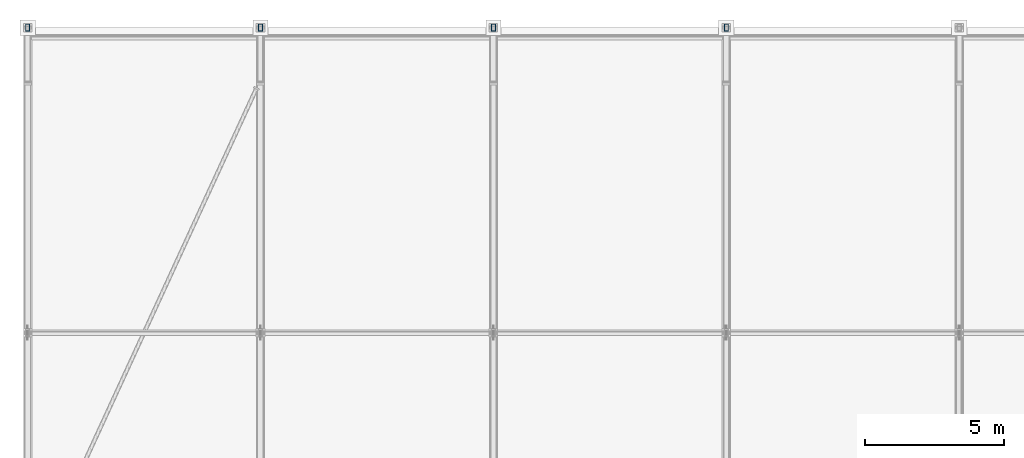
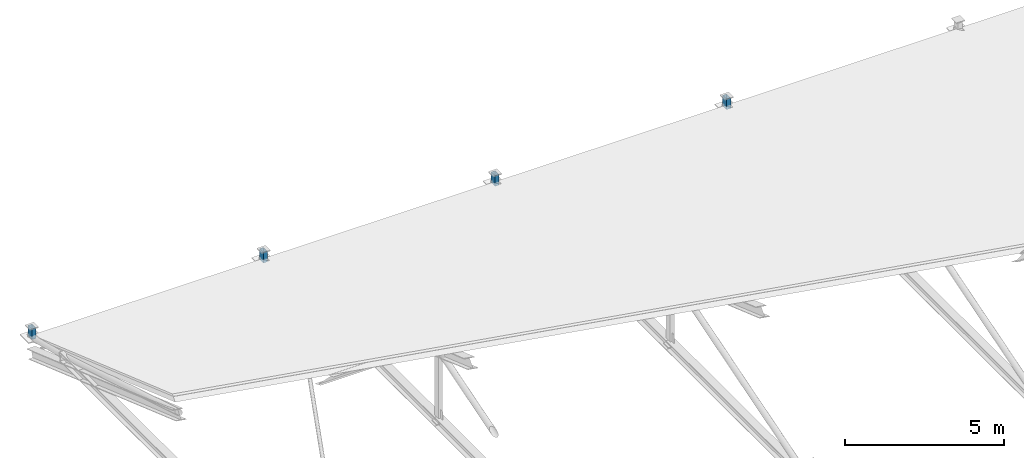
# One storey, part 27 of 57: 4 members.
"""IFC4 building model written with IfcOpenShell, lengths in metres."""

from ifc_helpers import new_model, si_unit, direction, frame, origin, origin_2d, place, context, subcontext, project, spatial, hollow_rectangle, extrude, material, material_profile, profile_set, type_object, element, save


model = new_model("IFC4")

# Units and contexts
model_context = context("Model", 3, precision=1e-05, world=origin(), true_north=direction((0.0, 1.0)))
body_context = subcontext(model_context, "Body", "Model", "MODEL_VIEW")
ifc_project = project(units=[si_unit("LENGTHUNIT", "METRE"), si_unit("AREAUNIT", "SQUARE_METRE"), si_unit("VOLUMEUNIT", "CUBIC_METRE"), si_unit("PLANEANGLEUNIT", "RADIAN"), si_unit("MASSUNIT", "GRAM", prefix="KILO")], contexts=[model_context])

# Site, building, storey
site_placement = place(None, origin())
site = spatial("IfcSite", under=ifc_project, at=site_placement, CompositionType="ELEMENT")
building_placement = place(site_placement, origin())
building = spatial("IfcBuilding", under=site, at=building_placement, Name="Kelarvand Opera House", CompositionType="ELEMENT")
storey_placement = place(building_placement, frame((0.0, 0.0, 33.60009765625)))
storey = spatial("IfcBuildingStorey", under=building, at=storey_placement, Name="Roof", CompositionType="ELEMENT", Elevation=33.60009765625)

# Members
ifc_material = material(Name="Steel S355", Category="steel")
ifc_material_profile = material_profile(ifc_material, hollow_rectangle(XDim=0.14990234375, YDim=0.25, WallThickness=0.010009765625, at=origin_2d()), Name="RHS 250x150x10.0", Category="steel")
ifc_profile_set = profile_set([ifc_material_profile], Name="Steel S355")
member_type = type_object("IfcMemberType", Name="Structural Post RHS 250x150x10.0 PS-RHS250", PredefinedType="POST", material=ifc_profile_set)
for number, where, z_axis, x_axis, name in (
    (1, (9.0, 125.0, -14.10009765625), (0.0, 0.0, 1.0), (1.0, 0.0, 0.0), "V3 Roof Truss 1 Bearing Post N"),
    (2, (17.39990234375, 125.0, -14.10009765625), (0.0, 0.0, 1.0), (1.0, 0.0, 0.0), "V3 Roof Truss 2 Bearing Post N"),
    (3, (25.800048828125, 125.0, -14.10009765625), (0.0, 0.0, 1.0), (1.0, 0.0, 0.0), "V3 Roof Truss 3 Bearing Post N"),
    (4, (34.199951171875, 125.0, -14.10009765625), (0.0, 0.0, 1.0), (1.0, 0.0, 0.0), "V3 Roof Truss 4 Bearing Post N"),
):
    element("IfcMember", number, at=place(storey_placement, frame(where, z_axis=z_axis, x_axis=x_axis)), inside=storey, type_object=member_type, Name=name, PredefinedType="POST", context=body_context, shape_type="SweptSolid", body=[
        extrude(hollow_rectangle(XDim=0.14990234375, YDim=0.25, WallThickness=0.010009765625, at=origin_2d()), origin(), (0.0, 0.0, 1.0), 0.39990234375),
    ])

save(model, "model.ifc")
